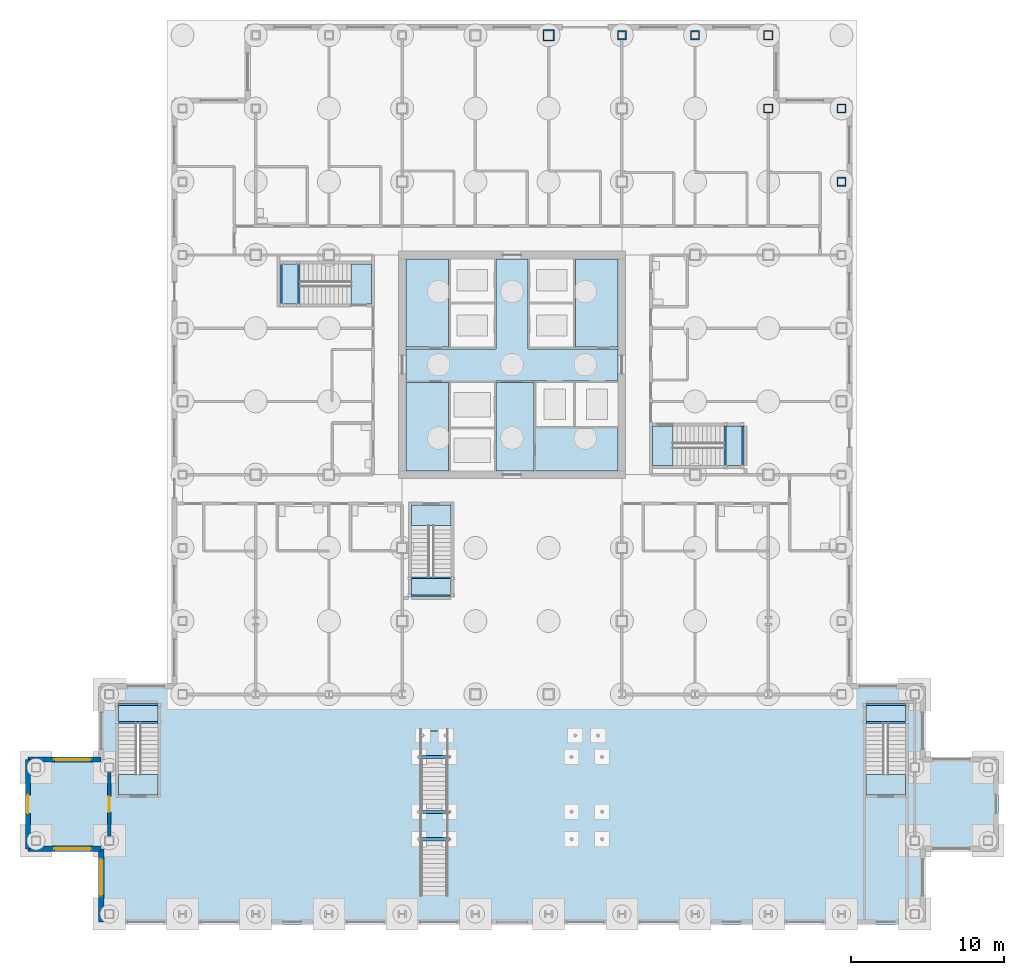
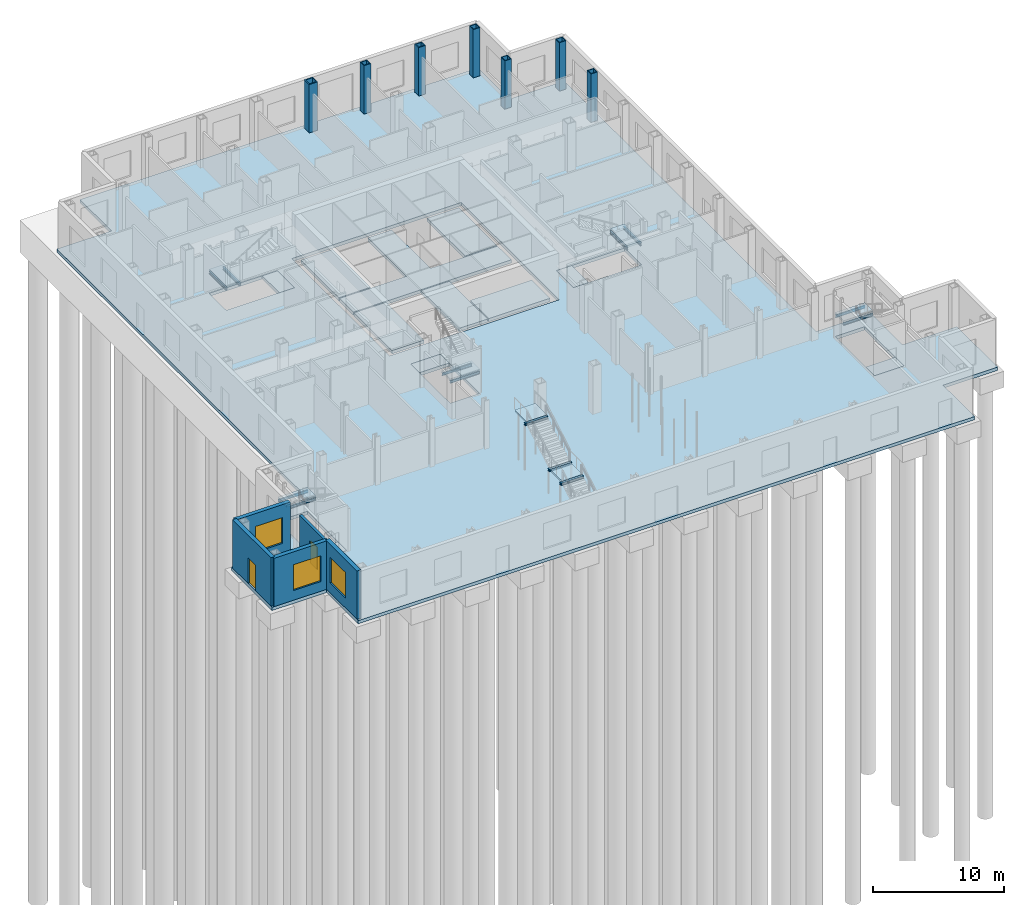
# One storey, part 11 of 22: 19 slabs, 13 beams, 7 columns, 5 walls, 3 windows, 2 doors, 5 openings, 6 elements without a shape of their own.
"""IFC4 building model written with IfcOpenShell, lengths in metres."""

from ifc_helpers import new_model, si_unit, direction, frame, frame_2d, origin, origin_2d, place, context, subcontext, project, spatial, polyline, rectangle, hollow_rectangle, i_section, outline, extrude, material, layer, layer_set, material_profile, profile_set, type_object, element, fill, aggregate, save


model = new_model("IFC4")

# Units and contexts
model_context = context("Model", 3, precision=1e-05, world=origin(), true_north=direction((0.0, 1.0)))
body_context = subcontext(model_context, "Body", "Model", "MODEL_VIEW")
ifc_project = project(units=[si_unit("LENGTHUNIT", "METRE"), si_unit("AREAUNIT", "SQUARE_METRE"), si_unit("VOLUMEUNIT", "CUBIC_METRE"), si_unit("PLANEANGLEUNIT", "RADIAN"), si_unit("MASSUNIT", "GRAM", prefix="KILO")], contexts=[model_context])

# Site, building, storey
site_placement = place(None, origin())
site = spatial("IfcSite", under=ifc_project, at=site_placement, CompositionType="ELEMENT")
building_placement = place(site_placement, origin())
building = spatial("IfcBuilding", under=site, at=building_placement, Name="Kvirike Care Tower", CompositionType="ELEMENT")
storey_placement = place(building_placement, origin())
storey = spatial("IfcBuildingStorey", under=building, at=storey_placement, Name="L00", CompositionType="ELEMENT", Elevation=0.0)

# Columns
ifc_material_1 = material(Name="Steel S460", Category="steel")
ifc_material_profile_1 = material_profile(ifc_material_1, hollow_rectangle(XDim=0.60009765625, YDim=0.60009765625, WallThickness=0.06005859375, at=origin_2d()), Name="BX 600x600x60")
ifc_profile_set_1 = profile_set([ifc_material_profile_1], Name="Steel S460")
column_type_1 = type_object("IfcColumnType", Name="COLUMN BX 600x600x60", PredefinedType="COLUMN", material=ifc_profile_set_1)
for number, where, z_axis, x_axis, name in (
    (1, (38.39990234375, 52.800048828125, 0.0), (0.0, 0.0, 1.0), (0.0, 1.0, 0.0), "Column M11 L00"),
    (2, (38.39990234375, 57.60009765625, 0.0), (0.0, 0.0, 1.0), (0.0, 1.0, 0.0), "Column N11 L00"),
    (3, (43.199951171875, 52.800048828125, 0.0), (0.0, 0.0, 1.0), (0.0, 1.0, 0.0), "Column M12 L00"),
):
    element("IfcColumn", number, at=place(storey_placement, frame(where, z_axis=z_axis, x_axis=x_axis)), inside=storey, type_object=column_type_1, Name=name, PredefinedType="COLUMN", context=body_context, shape_type="SweptSolid", body=[
        extrude(hollow_rectangle(XDim=0.60009765625, YDim=0.60009765625, WallThickness=0.06005859375, at=origin_2d()), origin(), (0.0, 0.0, 1.0), 4.5),
    ])
ifc_material_2 = material(Name="Steel S460", Category="steel")
ifc_material_profile_2 = material_profile(ifc_material_2, hollow_rectangle(XDim=0.60009765625, YDim=0.60009765625, WallThickness=0.080078125, at=origin_2d()), Name="BX 600x600x80")
ifc_profile_set_2 = profile_set([ifc_material_profile_2], Name="Steel S460")
column_type_2 = type_object("IfcColumnType", Name="COLUMN BX 600x600x80", PredefinedType="COLUMN", material=ifc_profile_set_2)
for number, where, z_axis, x_axis, name in (
    (4, (28.800048828125, 57.60009765625, 0.0), (0.0, 0.0, 1.0), (0.0, 1.0, 0.0), "Column N9 L00"),
    (5, (33.60009765625, 57.60009765625, 0.0), (0.0, 0.0, 1.0), (0.0, 1.0, 0.0), "Column N10 L00"),
    (6, (43.199951171875, 48.0, 0.0), (0.0, 0.0, 1.0), (1.0, 0.0, 0.0), "Column L12 L00"),
):
    element("IfcColumn", number, at=place(storey_placement, frame(where, z_axis=z_axis, x_axis=x_axis)), inside=storey, type_object=column_type_2, Name=name, PredefinedType="COLUMN", context=body_context, shape_type="SweptSolid", body=[
        extrude(hollow_rectangle(XDim=0.60009765625, YDim=0.60009765625, WallThickness=0.080078125, at=origin_2d()), origin(), (0.0, 0.0, 1.0), 4.5),
    ])
ifc_material_3 = material(Name="Steel S460", Category="steel")
ifc_material_profile_3 = material_profile(ifc_material_3, hollow_rectangle(XDim=0.75, YDim=0.75, WallThickness=0.080078125, at=origin_2d()), Name="BX 750x750x80")
ifc_profile_set_3 = profile_set([ifc_material_profile_3], Name="Steel S460")
column_type_3 = type_object("IfcColumnType", Name="COLUMN BX 750x750x80", PredefinedType="COLUMN", material=ifc_profile_set_3)
column_placement = place(storey_placement, frame((24.0, 57.60009765625, 0.0), z_axis=(0.0, 0.0, 1.0), x_axis=(0.0, 1.0, 0.0)))
element("IfcColumn", 7, at=column_placement, inside=storey, type_object=column_type_3, Name="Column N8 L00", PredefinedType="COLUMN", context=body_context, shape_type="SweptSolid", body=[
    extrude(hollow_rectangle(XDim=0.75, YDim=0.75, WallThickness=0.080078125, at=origin_2d()), origin(), (0.0, 0.0, 1.0), 4.5),
])

# Beams
ifc_material_4 = material(Name="Steel S355", Category="steel")
ifc_material_profile_4 = material_profile(ifc_material_4, i_section(OverallWidth=0.199951171875, OverallDepth=0.199951171875, WebThickness=0.009033203125, FlangeThickness=0.014892578125, FilletRadius=0.01806640625, at=origin_2d()), Name="HE 200 B")
ifc_profile_set_4 = profile_set([ifc_material_profile_4], Name="Steel S355")
beam_type_1 = type_object("IfcBeamType", Name="FEATURE STAIR TRIMMER HE 200 B", PredefinedType="BEAM", material=ifc_profile_set_4)
for number, where, z_axis, x_axis, name in (
    (8, (15.5, 4.89990234375, 1.949951171875), (1.0, 0.0, 0.0), (0.0, 1.0, 0.0), "Feature stair FA landing trimmer S"),
    (9, (15.5, 6.699951171875, 2.14990234375), (1.0, 0.0, 0.0), (0.0, 1.0, 0.0), "Feature stair FA landing trimmer N"),
    (10, (15.5, 10.300048828125, 4.22998046875), (1.0, 0.0, 0.0), (0.0, 1.0, 0.0), "Feature stair FA landing trimmer T"),
):
    element("IfcBeam", number, at=place(storey_placement, frame(where, z_axis=z_axis, x_axis=x_axis)), inside=storey, type_object=beam_type_1, Name=name, PredefinedType="BEAM", context=body_context, shape_type="SweptSolid", body=[
        extrude(i_section(OverallWidth=0.199951171875, OverallDepth=0.199951171875, WebThickness=0.009033203125, FlangeThickness=0.014892578125, FilletRadius=0.01806640625, at=origin_2d()), origin(), (0.0, 0.0, 1.0), 2.0),
    ])
ifc_material_5 = material(Name="Steel S355", Category="steel")
ifc_material_profile_5 = material_profile(ifc_material_5, i_section(OverallWidth=0.1201171875, OverallDepth=0.239990234375, WebThickness=0.006103515625, FlangeThickness=0.009765625, FilletRadius=0.014892578125, at=origin_2d()), Name="IPE 240")
ifc_profile_set_5 = profile_set([ifc_material_profile_5], Name="Steel S355")
beam_type_2 = type_object("IfcBeamType", Name="STAIR LANDING BEAM IPE 240", PredefinedType="BEAM", material=ifc_profile_set_5)
for number, where, z_axis, x_axis, name in (
    (11, (6.4599609375, 42.60009765625, 1.929931640625), (0.0, -1.0, 0.0), (1.0, 0.0, 0.0), "Stair 1 landing beam back L00"),
    (12, (7.639892578125, 42.60009765625, 1.929931640625), (0.0, -1.0, 0.0), (1.0, 0.0, 0.0), "Stair 1 landing beam front L00"),
    (13, (36.739990234375, 29.39990234375, 1.929931640625), (0.0, 1.0, 0.0), (-1.0, 0.0, 0.0), "Stair 2 landing beam back L00"),
    (14, (35.56005859375, 29.39990234375, 1.929931640625), (0.0, 1.0, 0.0), (-1.0, 0.0, 0.0), "Stair 2 landing beam front L00"),
):
    element("IfcBeam", number, at=place(storey_placement, frame(where, z_axis=z_axis, x_axis=x_axis)), inside=storey, type_object=beam_type_2, Name=name, PredefinedType="BEAM", context=body_context, shape_type="SweptSolid", body=[
        extrude(i_section(OverallWidth=0.1201171875, OverallDepth=0.239990234375, WebThickness=0.006103515625, FlangeThickness=0.009765625, FilletRadius=0.014892578125, at=origin_2d()), origin(), (0.0, 0.0, 1.0), 2.60009765625),
    ])
for number, where, z_axis, x_axis, name in (
    (15, (-4.199951171875, 13.739990234375, 1.929931640625), (1.0, 0.0, 0.0), (0.0, 1.0, 0.0), "Stair 3 landing beam back L00"),
    (16, (-4.199951171875, 12.56005859375, 1.929931640625), (1.0, 0.0, 0.0), (0.0, 1.0, 0.0), "Stair 3 landing beam front L00"),
    (17, (44.800048828125, 13.739990234375, 1.929931640625), (1.0, 0.0, 0.0), (0.0, 1.0, 0.0), "Stair 4 landing beam back L00"),
    (18, (44.800048828125, 12.56005859375, 1.929931640625), (1.0, 0.0, 0.0), (0.0, 1.0, 0.0), "Stair 4 landing beam front L00"),
):
    element("IfcBeam", number, at=place(storey_placement, frame(where, z_axis=z_axis, x_axis=x_axis)), inside=storey, type_object=beam_type_2, Name=name, PredefinedType="BEAM", context=body_context, shape_type="SweptSolid", body=[
        extrude(i_section(OverallWidth=0.1201171875, OverallDepth=0.239990234375, WebThickness=0.006103515625, FlangeThickness=0.009765625, FilletRadius=0.014892578125, at=origin_2d()), origin(), (0.0, 0.0, 1.0), 2.599853515625),
    ])
for number, where, z_axis, x_axis, name in (
    (19, (15.0, 20.860107421875, 1.929931640625), (1.0, 0.0, 0.0), (0.0, 1.0, 0.0), "Stair 5 landing beam back L00"),
    (20, (15.0, 22.0400390625, 1.929931640625), (1.0, 0.0, 0.0), (0.0, 1.0, 0.0), "Stair 5 landing beam front L00"),
):
    element("IfcBeam", number, at=place(storey_placement, frame(where, z_axis=z_axis, x_axis=x_axis)), inside=storey, type_object=beam_type_2, Name=name, PredefinedType="BEAM", context=body_context, shape_type="SweptSolid", body=[
        extrude(i_section(OverallWidth=0.1201171875, OverallDepth=0.239990234375, WebThickness=0.006103515625, FlangeThickness=0.009765625, FilletRadius=0.014892578125, at=origin_2d()), origin(), (0.0, 0.0, 1.0), 2.60009765625),
    ])

# Slabs
ifc_material_6 = material(Name="Concrete C35/45", Category="concrete")
ifc_layer_1 = layer(ifc_material_6, 0.300048828125)
ifc_layer_set_1 = layer_set([ifc_layer_1], Name="BASE SLAB 300")
slab_type_1 = type_object("IfcSlabType", Name="BASE SLAB 300", PredefinedType="BASESLAB", material=ifc_layer_set_1)
slab_1_placement = place(storey_placement, frame((0.0, 0.0, -0.300048828125)))
element("IfcSlab", 21, at=slab_1_placement, inside=storey, type_object=slab_type_1, Name="Ground floor slab", PredefinedType="BASESLAB", context=body_context, shape_type="SweptSolid", body=[
    extrude(outline(polyline([(-0.699951171875, 15.10009765625), (-5.5, 15.10009765625), (-5.5, 10.300048828125), (-10.300048828125, 10.300048828125), (-10.300048828125, 4.10009765625), (-5.5, 4.10009765625), (-5.5, -0.699951171875), (48.699951171875, -0.699951171875), (48.699951171875, 4.10009765625), (53.5, 4.10009765625), (53.5, 10.300048828125), (48.699951171875, 10.300048828125), (48.699951171875, 15.10009765625), (43.89990234375, 15.10009765625), (43.89990234375, 53.5), (39.10009765625, 53.5), (39.10009765625, 58.300048828125), (4.10009765625, 58.300048828125), (4.10009765625, 53.5), (-0.699951171875, 53.5), (-0.699951171875, 15.10009765625)]), holes=[polyline([(29.050048828125, 43.449951171875), (29.050048828125, 28.550048828125), (14.14990234375, 28.550048828125), (14.14990234375, 43.449951171875), (29.050048828125, 43.449951171875)]), polyline([(6.39990234375, 42.60009765625), (12.39990234375, 42.60009765625), (12.39990234375, 40.0), (6.39990234375, 40.0), (6.39990234375, 42.60009765625)]), polyline([(30.800048828125, 29.39990234375), (30.800048828125, 32.0), (36.800048828125, 32.0), (36.800048828125, 29.39990234375), (30.800048828125, 29.39990234375)]), polyline([(-1.60009765625, 7.800048828125), (-4.199951171875, 7.800048828125), (-4.199951171875, 13.800048828125), (-1.60009765625, 13.800048828125), (-1.60009765625, 7.800048828125)]), polyline([(44.800048828125, 7.800048828125), (44.800048828125, 13.800048828125), (47.39990234375, 13.800048828125), (47.39990234375, 7.800048828125), (44.800048828125, 7.800048828125)]), polyline([(15.0, 20.800048828125), (15.0, 26.800048828125), (17.60009765625, 26.800048828125), (17.60009765625, 20.800048828125), (15.0, 20.800048828125)])]), origin(), (0.0, 0.0, 1.0), 0.300048828125),
])
slab_2_placement = place(storey_placement, frame((0.0, 0.0, -0.300048828125)))
element("IfcSlab", 22, at=slab_2_placement, inside=storey, type_object=slab_type_1, Name="Core floor slab Fire-fighting lift lobby", PredefinedType="BASESLAB", context=body_context, shape_type="SweptSolid", body=[
    extrude(outline(polyline([(23.050048828125, 29.050048828125), (23.050048828125, 34.85009765625), (20.550048828125, 34.85009765625), (20.550048828125, 29.050048828125), (23.050048828125, 29.050048828125)])), origin(), (0.0, 0.0, 1.0), 0.300048828125),
])
slab_3_placement = place(storey_placement, frame((0.0, 0.0, -0.300048828125)))
element("IfcSlab", 23, at=slab_3_placement, inside=storey, type_object=slab_type_1, Name="Core floor slab Lift lobby", PredefinedType="BASESLAB", context=body_context, shape_type="SweptSolid", body=[
    extrude(outline(polyline([(28.550048828125, 37.050048828125), (22.64990234375, 37.050048828125), (22.64990234375, 42.949951171875), (20.550048828125, 42.949951171875), (20.550048828125, 37.050048828125), (14.64990234375, 37.050048828125), (14.64990234375, 34.949951171875), (28.550048828125, 34.949951171875), (28.550048828125, 37.050048828125)])), origin(), (0.0, 0.0, 1.0), 0.300048828125),
])
slab_4_placement = place(storey_placement, frame((0.0, 0.0, -0.300048828125)))
element("IfcSlab", 24, at=slab_4_placement, inside=storey, type_object=slab_type_1, Name="Core floor slab Service riser", PredefinedType="BASESLAB", context=body_context, shape_type="SweptSolid", body=[
    extrude(outline(polyline([(17.449951171875, 29.050048828125), (17.449951171875, 34.85009765625), (14.64990234375, 34.85009765625), (14.64990234375, 29.050048828125), (17.449951171875, 29.050048828125)])), origin(), (0.0, 0.0, 1.0), 0.300048828125),
])
slab_5_placement = place(storey_placement, frame((0.0, 0.0, -0.300048828125)))
element("IfcSlab", 25, at=slab_5_placement, inside=storey, type_object=slab_type_1, Name="Core floor slab Service riser", PredefinedType="BASESLAB", context=body_context, shape_type="SweptSolid", body=[
    extrude(outline(polyline([(17.449951171875, 37.14990234375), (17.449951171875, 42.949951171875), (14.64990234375, 42.949951171875), (14.64990234375, 37.14990234375), (17.449951171875, 37.14990234375)])), origin(), (0.0, 0.0, 1.0), 0.300048828125),
])
slab_6_placement = place(storey_placement, frame((0.0, 0.0, -0.300048828125)))
element("IfcSlab", 26, at=slab_6_placement, inside=storey, type_object=slab_type_1, Name="Core floor slab Service riser", PredefinedType="BASESLAB", context=body_context, shape_type="SweptSolid", body=[
    extrude(outline(polyline([(28.550048828125, 37.14990234375), (28.550048828125, 42.949951171875), (25.75, 42.949951171875), (25.75, 37.14990234375), (28.550048828125, 37.14990234375)])), origin(), (0.0, 0.0, 1.0), 0.300048828125),
])
slab_7_placement = place(storey_placement, frame((0.0, 0.0, -0.300048828125)))
element("IfcSlab", 27, at=slab_7_placement, inside=storey, type_object=slab_type_1, Name="Core floor slab Service riser", PredefinedType="BASESLAB", context=body_context, shape_type="SweptSolid", body=[
    extrude(outline(polyline([(28.550048828125, 29.050048828125), (28.550048828125, 31.85009765625), (23.14990234375, 31.85009765625), (23.14990234375, 29.050048828125), (28.550048828125, 29.050048828125)])), origin(), (0.0, 0.0, 1.0), 0.300048828125),
])

# Stair, slabs
ifc_material_7 = material(Name="Steel S355 stringer stair with steel-pan treads", Category="steel")
stair_type_1 = type_object("IfcStairType", Name="ATRIUM FEATURE STAIR 26 RISERS", PredefinedType="TWO_STRAIGHT_RUN_STAIR", material=ifc_material_7)
stair_1_placement = place(storey_placement, origin())
stair_1 = element("IfcStair", 28, at=stair_1_placement, inside=storey, type_object=stair_type_1, Name="Atrium feature stair FA L00 to L01", PredefinedType="TWO_STRAIGHT_RUN_STAIR")
ifc_material_8 = material(Name="Steel-pan landing with concrete infill", Category="concrete")
ifc_layer_2 = layer(ifc_material_8, 0.199951171875)
ifc_layer_set_2 = layer_set([ifc_layer_2], Name="FEATURE STAIR LANDING 200")
slab_type_2 = type_object("IfcSlabType", Name="FEATURE STAIR LANDING 200", PredefinedType="LANDING", material=ifc_layer_set_2)
slab_8_placement = place(storey_placement, frame((0.0, 0.0, 2.050048828125)))
slab_8 = element("IfcSlab", 29, at=slab_8_placement, type_object=slab_type_2, Name="FA landing 1", PredefinedType="LANDING", context=body_context, shape_type="SweptSolid", body=[
    extrude(outline(polyline([(15.60009765625, 4.800048828125), (17.39990234375, 4.800048828125), (17.39990234375, 6.60009765625), (15.60009765625, 6.60009765625), (15.60009765625, 4.800048828125)])), origin(), (0.0, 0.0, 1.0), 0.199951171875),
])
ifc_material_9 = material(Name="Steel-pan landing with concrete infill, level with the floor", Category="concrete")
ifc_layer_3 = layer(ifc_material_9, 0.169921875)
ifc_layer_set_3 = layer_set([ifc_layer_3], Name="FEATURE STAIR TOP LANDING 170")
slab_type_3 = type_object("IfcSlabType", Name="FEATURE STAIR TOP LANDING 170", PredefinedType="LANDING", material=ifc_layer_set_3)
slab_9_placement = place(storey_placement, frame((0.0, 0.0, 4.330078125)))
slab_9 = element("IfcSlab", 30, at=slab_9_placement, type_object=slab_type_3, Name="FA top landing L01", PredefinedType="LANDING", context=body_context, shape_type="SweptSolid", body=[
    extrude(outline(polyline([(15.60009765625, 10.199951171875), (17.39990234375, 10.199951171875), (17.39990234375, 12.0), (15.60009765625, 12.0), (15.60009765625, 10.199951171875)])), origin(), (0.0, 0.0, 1.0), 0.169921875),
])
aggregate(stair_1, [slab_8, slab_9])

# Stair, slab
ifc_material_10 = material(Name="Concrete C35/45", Category="concrete")
stair_type_2 = type_object("IfcStairType", Name="STAIR 26 RISERS", PredefinedType="HALF_TURN_STAIR", material=ifc_material_10)
stair_2_placement = place(storey_placement, origin())
stair_2 = element("IfcStair", 31, at=stair_2_placement, inside=storey, type_object=stair_type_2, Name="Stair 1 L00", PredefinedType="HALF_TURN_STAIR")
ifc_material_11 = material(Name="Concrete C35/45", Category="concrete")
ifc_layer_4 = layer(ifc_material_11, 0.199951171875)
ifc_layer_set_4 = layer_set([ifc_layer_4], Name="STAIR LANDING 200")
slab_type_4 = type_object("IfcSlabType", Name="STAIR LANDING 200", PredefinedType="LANDING", material=ifc_layer_set_4)
slab_10_placement = place(storey_placement, frame((0.0, 0.0, 2.050048828125)))
slab_10 = element("IfcSlab", 32, at=slab_10_placement, type_object=slab_type_4, Name="Stair S1 half landing L00-L01", PredefinedType="LANDING", context=body_context, shape_type="SweptSolid", body=[
    extrude(outline(polyline([(6.39990234375, 42.60009765625), (6.39990234375, 40.0), (7.699951171875, 40.0), (7.699951171875, 42.60009765625), (6.39990234375, 42.60009765625)])), origin(), (0.0, 0.0, 1.0), 0.199951171875),
])

stair_3_placement = place(storey_placement, origin())
stair_3 = element("IfcStair", 33, at=stair_3_placement, inside=storey, type_object=stair_type_2, Name="Stair 2 L00", PredefinedType="HALF_TURN_STAIR")
slab_11_placement = place(storey_placement, frame((0.0, 0.0, 2.050048828125)))
slab_11 = element("IfcSlab", 34, at=slab_11_placement, type_object=slab_type_4, Name="Stair S2 half landing L00-L01", PredefinedType="LANDING", context=body_context, shape_type="SweptSolid", body=[
    extrude(outline(polyline([(36.800048828125, 29.39990234375), (36.800048828125, 32.0), (35.5, 32.0), (35.5, 29.39990234375), (36.800048828125, 29.39990234375)])), origin(), (0.0, 0.0, 1.0), 0.199951171875),
])

stair_4_placement = place(storey_placement, origin())
stair_4 = element("IfcStair", 35, at=stair_4_placement, inside=storey, type_object=stair_type_2, Name="Stair 3 L00", PredefinedType="HALF_TURN_STAIR")
slab_12_placement = place(storey_placement, frame((0.0, 0.0, 2.050048828125)))
slab_12 = element("IfcSlab", 36, at=slab_12_placement, type_object=slab_type_4, Name="Stair S3 half landing L00-L01", PredefinedType="LANDING", context=body_context, shape_type="SweptSolid", body=[
    extrude(outline(polyline([(-4.199951171875, 12.5), (-1.60009765625, 12.5), (-1.60009765625, 13.800048828125), (-4.199951171875, 13.800048828125), (-4.199951171875, 12.5)])), origin(), (0.0, 0.0, 1.0), 0.199951171875),
])

stair_5_placement = place(storey_placement, origin())
stair_5 = element("IfcStair", 37, at=stair_5_placement, inside=storey, type_object=stair_type_2, Name="Stair 4 L00", PredefinedType="HALF_TURN_STAIR")
slab_13_placement = place(storey_placement, frame((0.0, 0.0, 2.050048828125)))
slab_13 = element("IfcSlab", 38, at=slab_13_placement, type_object=slab_type_4, Name="Stair S4 half landing L00-L01", PredefinedType="LANDING", context=body_context, shape_type="SweptSolid", body=[
    extrude(outline(polyline([(44.800048828125, 12.5), (47.39990234375, 12.5), (47.39990234375, 13.800048828125), (44.800048828125, 13.800048828125), (44.800048828125, 12.5)])), origin(), (0.0, 0.0, 1.0), 0.199951171875),
])

stair_6_placement = place(storey_placement, origin())
stair_6 = element("IfcStair", 39, at=stair_6_placement, inside=storey, type_object=stair_type_2, Name="Stair 5 L00", PredefinedType="HALF_TURN_STAIR")
slab_14_placement = place(storey_placement, frame((0.0, 0.0, 2.050048828125)))
slab_14 = element("IfcSlab", 40, at=slab_14_placement, type_object=slab_type_4, Name="Stair S5 half landing L00-L01", PredefinedType="LANDING", context=body_context, shape_type="SweptSolid", body=[
    extrude(outline(polyline([(15.0, 20.800048828125), (17.60009765625, 20.800048828125), (17.60009765625, 22.10009765625), (15.0, 22.10009765625), (15.0, 20.800048828125)])), origin(), (0.0, 0.0, 1.0), 0.199951171875),
])

# Slab
ifc_material_12 = material(Name="Concrete C35/45", Category="concrete")
ifc_layer_5 = layer(ifc_material_12, 0.300048828125)
ifc_layer_set_5 = layer_set([ifc_layer_5], Name="STAIR LANDING 300")
slab_type_5 = type_object("IfcSlabType", Name="STAIR LANDING 300", PredefinedType="LANDING", material=ifc_layer_set_5)
slab_15_placement = place(storey_placement, frame((0.0, 0.0, -0.300048828125)))
slab_15 = element("IfcSlab", 41, at=slab_15_placement, type_object=slab_type_5, Name="Stair S1 floor landing L00", PredefinedType="LANDING", context=body_context, shape_type="SweptSolid", body=[
    extrude(outline(polyline([(11.06005859375, 42.60009765625), (11.06005859375, 40.0), (12.39990234375, 40.0), (12.39990234375, 42.60009765625), (11.06005859375, 42.60009765625)])), origin(), (0.0, 0.0, 1.0), 0.300048828125),
])

aggregate(stair_2, [slab_15, slab_10])

slab_16_placement = place(storey_placement, frame((0.0, 0.0, -0.300048828125)))
slab_16 = element("IfcSlab", 42, at=slab_16_placement, type_object=slab_type_5, Name="Stair S2 floor landing L00", PredefinedType="LANDING", context=body_context, shape_type="SweptSolid", body=[
    extrude(outline(polyline([(32.139892578125, 29.39990234375), (32.139892578125, 32.0), (30.800048828125, 32.0), (30.800048828125, 29.39990234375), (32.139892578125, 29.39990234375)])), origin(), (0.0, 0.0, 1.0), 0.300048828125),
])

aggregate(stair_3, [slab_16, slab_11])

slab_17_placement = place(storey_placement, frame((0.0, 0.0, -0.300048828125)))
slab_17 = element("IfcSlab", 43, at=slab_17_placement, type_object=slab_type_5, Name="Stair S3 floor landing L00", PredefinedType="LANDING", context=body_context, shape_type="SweptSolid", body=[
    extrude(outline(polyline([(-4.199951171875, 7.800048828125), (-1.60009765625, 7.800048828125), (-1.60009765625, 9.139892578125), (-4.199951171875, 9.139892578125), (-4.199951171875, 7.800048828125)])), origin(), (0.0, 0.0, 1.0), 0.300048828125),
])

aggregate(stair_4, [slab_17, slab_12])

slab_18_placement = place(storey_placement, frame((0.0, 0.0, -0.300048828125)))
slab_18 = element("IfcSlab", 44, at=slab_18_placement, type_object=slab_type_5, Name="Stair S4 floor landing L00", PredefinedType="LANDING", context=body_context, shape_type="SweptSolid", body=[
    extrude(outline(polyline([(44.800048828125, 7.800048828125), (47.39990234375, 7.800048828125), (47.39990234375, 9.139892578125), (44.800048828125, 9.139892578125), (44.800048828125, 7.800048828125)])), origin(), (0.0, 0.0, 1.0), 0.300048828125),
])

aggregate(stair_5, [slab_18, slab_13])

slab_19_placement = place(storey_placement, frame((0.0, 0.0, -0.300048828125)))
slab_19 = element("IfcSlab", 45, at=slab_19_placement, type_object=slab_type_5, Name="Stair S5 floor landing L00", PredefinedType="LANDING", context=body_context, shape_type="SweptSolid", body=[
    extrude(outline(polyline([(15.0, 25.4599609375), (17.60009765625, 25.4599609375), (17.60009765625, 26.800048828125), (15.0, 26.800048828125), (15.0, 25.4599609375)])), origin(), (0.0, 0.0, 1.0), 0.300048828125),
])

aggregate(stair_6, [slab_19, slab_14])

# Wall, opening, door
ifc_material_13 = material(Name="Concrete blockwork", Category="masonry")
ifc_layer_6 = layer(ifc_material_13, 0.239990234375)
ifc_layer_set_6 = layer_set([ifc_layer_6], Name="FIRE COMMAND CENTRE WALL 240")
wall_type_1 = type_object("IfcWallType", Name="FIRE COMMAND CENTRE WALL 240", PredefinedType="SOLIDWALL", material=ifc_layer_set_6)
wall_1_placement = place(storey_placement, frame((-4.800048828125, 5.1201171875, 0.0), z_axis=(0.0, 0.0, 1.0), x_axis=(0.0, 1.0, 0.0)))
wall_1 = element("IfcWall", 46, at=wall_1_placement, inside=storey, type_object=wall_type_1, Name="Fire Command Centre Wall 240 L00", PredefinedType="SOLIDWALL", context=body_context, shape_type="SweptSolid", body=[
    extrude(rectangle(XDim=4.159912109375, YDim=0.239990234375, at=frame_2d((2.080078125, 0.0))), origin(), (0.0, 0.0, 1.0), 3.550048828125),
])
opening_1_placement = place(wall_1_placement, frame((1.580078125, 0.0, 0.0)))
opening_1 = element("IfcOpeningElement", 47, at=opening_1_placement, cuts=wall_1, Name="Opening 00-043", PredefinedType="OPENING", context=body_context, shape_type="SweptSolid", body=[
    extrude(rectangle(XDim=1.0, YDim=2.10009765625, at=frame_2d((0.5, 1.050048828125))), frame((0.0, 0.130615234375, 0.0), z_axis=(0.0, -1.0, 0.0), x_axis=(1.0, 0.0, 0.0)), (0.0, 0.0, 1.0), 0.260986328125),
])
ifc_material_14 = material(Name="Timber door set", Category="wood")
door_type_1 = type_object("IfcDoorType", Name="FIRE COMMAND CENTRE DOOR 1000", OperationType="SINGLE_SWING_LEFT", PredefinedType="DOOR", material=ifc_material_14)
door_1_placement = place(opening_1_placement, origin())
door_1 = element("IfcDoor", 48, at=door_1_placement, inside=storey, type_object=door_type_1, Name="Fire command centre door", OperationType="SINGLE_SWING_LEFT", OverallHeight=2.10009765625, OverallWidth=1.0, PredefinedType="DOOR", context=body_context, shape_type="SweptSolid", body=[
    extrude(rectangle(XDim=1.0, YDim=2.10009765625, at=frame_2d((0.5, 1.050048828125))), frame((0.0, 0.031982421875, 0.0), z_axis=(0.0, -1.0, 0.0), x_axis=(1.0, 0.0, 0.0)), (0.0, 0.0, 1.0), 0.06396484375),
])
fill(opening_1, door_1)

# Wall, opening, window
ifc_material_15 = material(Name="Bronze-clad concrete wall", Category="concrete")
ifc_layer_7 = layer(ifc_material_15, 0.35009765625)
ifc_layer_set_7 = layer_set([ifc_layer_7], Name="PODIUM BASE WALL 350")
wall_type_2 = type_object("IfcWallType", Name="PODIUM BASE WALL 350", PredefinedType="SOLIDWALL", material=ifc_layer_set_7)
wall_2_placement = place(storey_placement, frame((-5.324951171875, 10.125, 0.0), z_axis=(0.0, 0.0, 1.0), x_axis=(-1.0, 0.0, 0.0)))
wall_2 = element("IfcWall", 49, at=wall_2_placement, inside=storey, type_object=wall_type_2, Name="Podium base wall face 17", PredefinedType="SOLIDWALL", context=body_context, shape_type="SweptSolid", body=[
    extrude(rectangle(XDim=4.800048828125, YDim=0.35009765625, at=frame_2d((2.39990234375, 0.0))), origin(), (0.0, 0.0, 1.0), 4.5),
])
opening_2_placement = place(wall_2_placement, frame((0.675048828125, 0.0, 0.89990234375)))
opening_2 = element("IfcOpeningElement", 50, at=opening_2_placement, cuts=wall_2, Name="Opening W02", PredefinedType="OPENING", context=body_context, shape_type="SweptSolid", body=[
    extrude(rectangle(XDim=2.39990234375, YDim=2.39990234375, at=frame_2d((1.199951171875, 1.199951171875))), frame((0.0, 0.185546875, 0.0), z_axis=(0.0, -1.0, 0.0), x_axis=(1.0, 0.0, 0.0)), (0.0, 0.0, 1.0), 0.37109375),
])
ifc_material_16 = material(Name="Bronze anodised aluminium window", Category="aluminium")
window_type = type_object("IfcWindowType", Name="PODIUM WINDOW 2400", PartitioningType="SINGLE_PANEL", PredefinedType="WINDOW", material=ifc_material_16)
window_1_placement = place(opening_2_placement, origin())
window_1 = element("IfcWindow", 51, at=window_1_placement, inside=storey, type_object=window_type, Name="Podium Window 2400 L00", OverallHeight=2.39990234375, OverallWidth=2.39990234375, PartitioningType="SINGLE_PANEL", PredefinedType="WINDOW", context=body_context, shape_type="SweptSolid", body=[
    extrude(rectangle(XDim=2.39990234375, YDim=2.39990234375, at=frame_2d((1.199951171875, 1.199951171875))), frame((0.0, 0.030029296875, 0.0), z_axis=(0.0, -1.0, 0.0), x_axis=(1.0, 0.0, 0.0)), (0.0, 0.0, 1.0), 0.06005859375),
])
fill(opening_2, window_1)

# Wall, opening, door
wall_3_placement = place(storey_placement, frame((-10.125, 10.125, 0.0), z_axis=(0.0, 0.0, 1.0), x_axis=(0.0, -1.0, 0.0)))
wall_3 = element("IfcWall", 52, at=wall_3_placement, inside=storey, type_object=wall_type_2, Name="Podium base wall face 18", PredefinedType="SOLIDWALL", context=body_context, shape_type="SweptSolid", body=[
    extrude(rectangle(XDim=5.85009765625, YDim=0.35009765625, at=frame_2d((2.925048828125, 0.0))), origin(), (0.0, 0.0, 1.0), 4.5),
])
opening_3_placement = place(wall_3_placement, frame((2.324951171875, 0.0, 0.0)))
opening_3 = element("IfcOpeningElement", 53, at=opening_3_placement, cuts=wall_3, Name="Opening 00-908", PredefinedType="OPENING", context=body_context, shape_type="SweptSolid", body=[
    extrude(rectangle(XDim=1.199951171875, YDim=2.39990234375, at=frame_2d((0.60009765625, 1.199951171875))), frame((0.0, 0.185546875, 0.0), z_axis=(0.0, -1.0, 0.0), x_axis=(1.0, 0.0, 0.0)), (0.0, 0.0, 1.0), 0.37109375),
])
ifc_material_17 = material(Name="Timber door set", Category="wood")
door_type_2 = type_object("IfcDoorType", Name="EXIT DOOR 1200", OperationType="SINGLE_SWING_LEFT", PredefinedType="DOOR", material=ifc_material_17)
door_2_placement = place(opening_3_placement, frame((1.199951171875, 0.0, 0.0), z_axis=(0.0, 0.0, 1.0), x_axis=(-1.0, 0.0, 0.0)))
door_2 = element("IfcDoor", 54, at=door_2_placement, inside=storey, type_object=door_type_2, Name="Fire command centre entrance", OperationType="SINGLE_SWING_LEFT", OverallHeight=2.39990234375, OverallWidth=1.199951171875, PredefinedType="DOOR", context=body_context, shape_type="SweptSolid", body=[
    extrude(rectangle(XDim=1.199951171875, YDim=2.39990234375, at=frame_2d((0.60009765625, 1.199951171875))), frame((0.0, 0.02685546875, 0.0), z_axis=(0.0, -1.0, 0.0), x_axis=(1.0, 0.0, 0.0)), (0.0, 0.0, 1.0), 0.053955078125),
])
fill(opening_3, door_2)

# Wall, opening, window
wall_4_placement = place(storey_placement, frame((-10.125, 4.27490234375, 0.0), z_axis=(0.0, 0.0, 1.0), x_axis=(1.0, 0.0, 0.0)))
wall_4 = element("IfcWall", 55, at=wall_4_placement, inside=storey, type_object=wall_type_2, Name="Podium base wall face 19", PredefinedType="SOLIDWALL", context=body_context, shape_type="SweptSolid", body=[
    extrude(rectangle(XDim=4.800048828125, YDim=0.35009765625, at=frame_2d((2.39990234375, 0.0))), origin(), (0.0, 0.0, 1.0), 4.5),
])
opening_4_placement = place(wall_4_placement, frame((1.72509765625, 0.0, 0.89990234375)))
opening_4 = element("IfcOpeningElement", 56, at=opening_4_placement, cuts=wall_4, Name="Opening W02", PredefinedType="OPENING", context=body_context, shape_type="SweptSolid", body=[
    extrude(rectangle(XDim=2.39990234375, YDim=2.39990234375, at=frame_2d((1.199951171875, 1.199951171875))), frame((0.0, 0.185546875, 0.0), z_axis=(0.0, -1.0, 0.0), x_axis=(1.0, 0.0, 0.0)), (0.0, 0.0, 1.0), 0.37109375),
])
window_2_placement = place(opening_4_placement, origin())
window_2 = element("IfcWindow", 57, at=window_2_placement, inside=storey, type_object=window_type, Name="Podium Window 2400 L00", OverallHeight=2.39990234375, OverallWidth=2.39990234375, PartitioningType="SINGLE_PANEL", PredefinedType="WINDOW", context=body_context, shape_type="SweptSolid", body=[
    extrude(rectangle(XDim=2.39990234375, YDim=2.39990234375, at=frame_2d((1.199951171875, 1.199951171875))), frame((0.0, 0.030029296875, 0.0), z_axis=(0.0, -1.0, 0.0), x_axis=(1.0, 0.0, 0.0)), (0.0, 0.0, 1.0), 0.06005859375),
])
fill(opening_4, window_2)

wall_5_placement = place(storey_placement, frame((-5.324951171875, 4.27490234375, 0.0), z_axis=(0.0, 0.0, 1.0), x_axis=(0.0, -1.0, 0.0)))
wall_5 = element("IfcWall", 58, at=wall_5_placement, inside=storey, type_object=wall_type_2, Name="Podium base wall face 20", PredefinedType="SOLIDWALL", context=body_context, shape_type="SweptSolid", body=[
    extrude(rectangle(XDim=4.7998046875, YDim=0.35009765625, at=frame_2d((2.39990234375, 0.0))), origin(), (0.0, 0.0, 1.0), 4.5),
])
opening_5_placement = place(wall_5_placement, frame((0.675048828125, 0.0, 0.89990234375)))
opening_5 = element("IfcOpeningElement", 59, at=opening_5_placement, cuts=wall_5, Name="Opening W02", PredefinedType="OPENING", context=body_context, shape_type="SweptSolid", body=[
    extrude(rectangle(XDim=2.39990234375, YDim=2.39990234375, at=frame_2d((1.199951171875, 1.199951171875))), frame((0.0, 0.185546875, 0.0), z_axis=(0.0, -1.0, 0.0), x_axis=(1.0, 0.0, 0.0)), (0.0, 0.0, 1.0), 0.37109375),
])
window_3_placement = place(opening_5_placement, origin())
window_3 = element("IfcWindow", 60, at=window_3_placement, inside=storey, type_object=window_type, Name="Podium Window 2400 L00", OverallHeight=2.39990234375, OverallWidth=2.39990234375, PartitioningType="SINGLE_PANEL", PredefinedType="WINDOW", context=body_context, shape_type="SweptSolid", body=[
    extrude(rectangle(XDim=2.39990234375, YDim=2.39990234375, at=frame_2d((1.199951171875, 1.199951171875))), frame((0.0, 0.030029296875, 0.0), z_axis=(0.0, -1.0, 0.0), x_axis=(1.0, 0.0, 0.0)), (0.0, 0.0, 1.0), 0.06005859375),
])
fill(opening_5, window_3)

save(model, "model.ifc")
